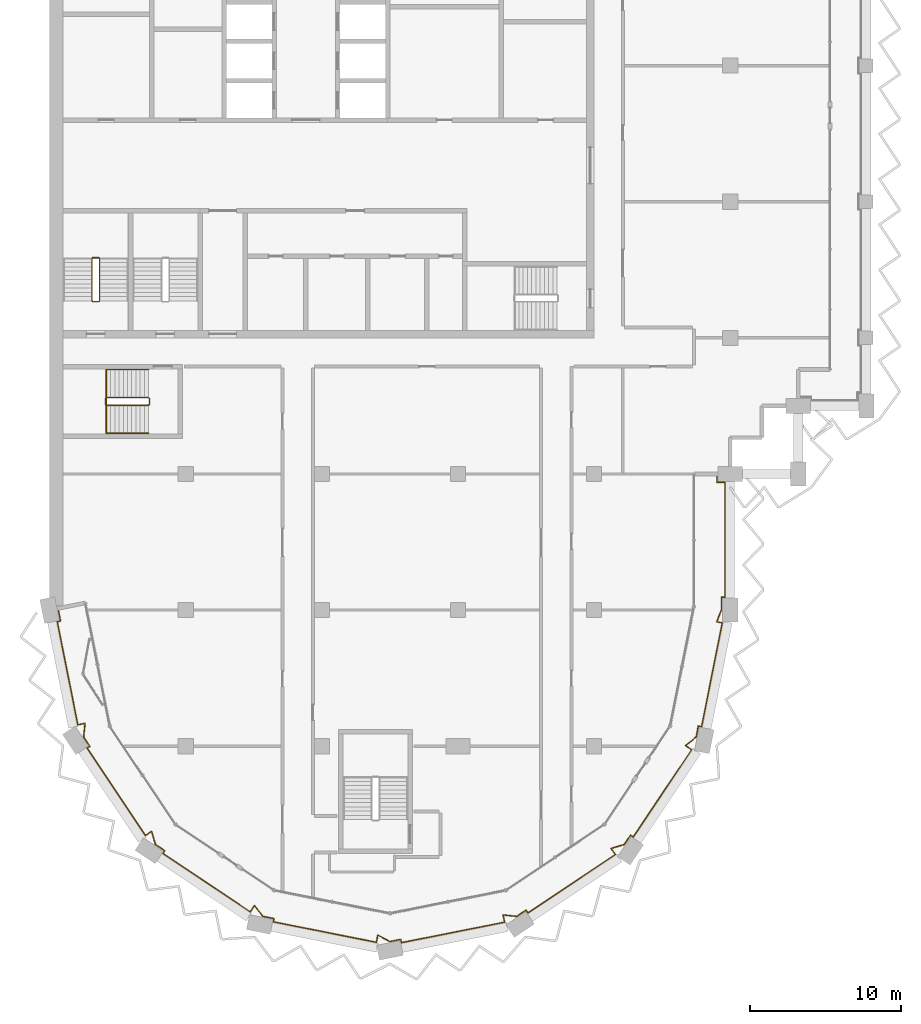
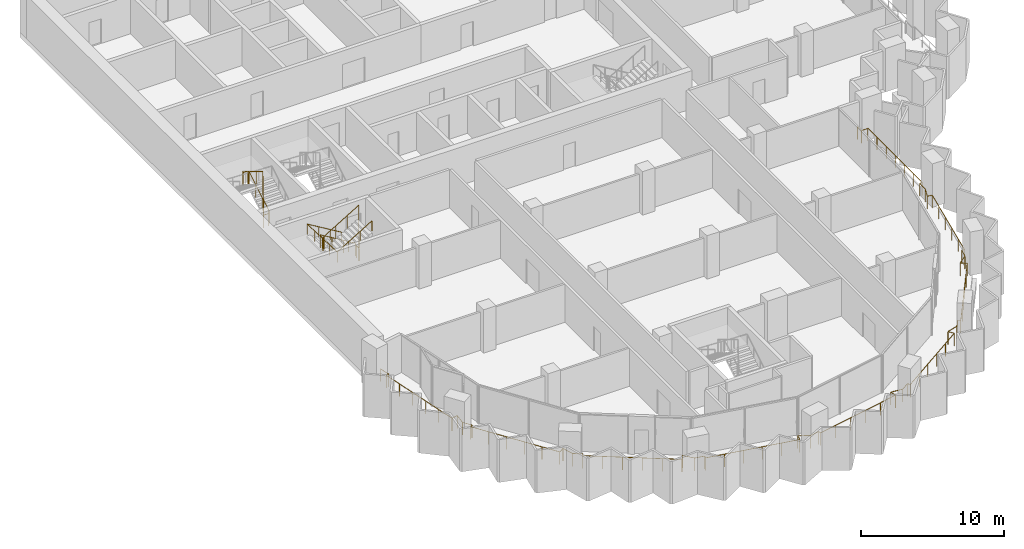
# One storey, part 15 of 17: 4 railings.
"""IFC4 building model written with IfcOpenShell, lengths in metres."""

from ifc_helpers import new_model, si_unit, direction, frame, origin, origin_2d, place, context, subcontext, project, spatial, circle, extrude, material, type_object, element, save


model = new_model("IFC4")

# Units and contexts
model_context = context("Model", 3, precision=1e-05, world=origin(), true_north=direction((0.0, 1.0)))
body_context = subcontext(model_context, "Body", "Model", "MODEL_VIEW")
ifc_project = project(units=[si_unit("LENGTHUNIT", "METRE"), si_unit("AREAUNIT", "SQUARE_METRE"), si_unit("VOLUMEUNIT", "CUBIC_METRE"), si_unit("PLANEANGLEUNIT", "RADIAN"), si_unit("MASSUNIT", "GRAM", prefix="KILO")], contexts=[model_context])

# Site, building, storey
site_placement = place(None, origin())
site = spatial("IfcSite", under=ifc_project, at=site_placement, CompositionType="ELEMENT")
building_placement = place(site_placement, origin())
building = spatial("IfcBuilding", under=site, at=building_placement, Name="Hunhe Ridgeline Campus", CompositionType="ELEMENT")
storey_placement = place(building_placement, frame((0.0, 0.0, 272.5)))
storey = spatial("IfcBuildingStorey", under=building, at=storey_placement, Name="L70", CompositionType="ELEMENT", Elevation=272.5)

# Railings
ifc_material_1 = material(Name="Steel Q355", Category="steel")
railing_type_1 = type_object("IfcRailingType", Name="Loggia guard 1100 Steel Q355", PredefinedType="GUARDRAIL", material=ifc_material_1)
railing_1_placement = place(storey_placement, frame((0.55908203125, 45.111083984375, 0.0)))
element("IfcRailing", 1, at=railing_1_placement, inside=storey, type_object=railing_type_1, Name="Loggia guard 1", PredefinedType="GUARDRAIL", context=body_context, shape_type="SweptSolid", body=[
    extrude(circle(Radius=0.02392578125, at=origin_2d()), frame((0.0, 0.0, 1.076171875), z_axis=(0.195066328581, -0.980790052689, 0.0), x_axis=(0.980790052689, 0.195066328581, 0.0)), (0.0, 0.0, 1.0), 0.849853515625),
    extrude(circle(Radius=0.02392578125, at=origin_2d()), frame((0.165771484375, -0.83349609375, 1.076171875), z_axis=(-0.980750988442, -0.195262640233, 0.0), x_axis=(0.195262640233, -0.980750988442, 0.0)), (0.0, 0.0, 1.0), 0.219970703125),
    extrude(circle(Radius=0.02392578125, at=origin_2d()), frame((-0.050048828125, -0.87646484375, 1.076171875), z_axis=(0.1951025318, -0.980782851647, 0.0), x_axis=(0.980782851647, 0.1951025318, 0.0)), (0.0, 0.0, 1.0), 6.94873046875),
    extrude(circle(Radius=0.02392578125, at=origin_2d()), frame((1.3056640625, -7.691650390625, 1.076171875), z_axis=(0.980791706313, 0.195058014004, 0.0), x_axis=(-0.195058014004, 0.980791706313, 0.0)), (0.0, 0.0, 1.0), 0.488037109375),
    extrude(circle(Radius=0.02392578125, at=origin_2d()), frame((1.784423828125, -7.596435546875, 1.076171875), z_axis=(-0.103312201106, -0.994648977832, 0.0), x_axis=(0.994648977832, -0.103312201106, 0.0)), (0.0, 0.0, 1.0), 0.907470703125),
    extrude(circle(Radius=0.02392578125, at=origin_2d()), frame((1.690673828125, -8.4990234375, 1.076171875), z_axis=(0.555464783965, -0.831540061437, 0.0), x_axis=(0.831540061437, 0.555464783965, 0.0)), (0.0, 0.0, 1.0), 0.736572265625),
    extrude(circle(Radius=0.02392578125, at=origin_2d()), frame((2.099853515625, -9.111572265625, 1.076171875), z_axis=(-0.831708467209, -0.555212594933, 0.0), x_axis=(0.555212594933, -0.831708467209, 0.0)), (0.0, 0.0, 1.0), 0.219970703125),
    extrude(circle(Radius=0.02392578125, at=origin_2d()), frame((1.9169921875, -9.233642578125, 1.076171875), z_axis=(0.555559363791, -0.831476874786, 0.0), x_axis=(0.831476874786, 0.555559363791, 0.0)), (0.0, 0.0, 1.0), 6.948486328125),
    extrude(circle(Radius=0.02392578125, at=origin_2d()), frame((5.77734375, -15.01123046875, 1.076171875), z_axis=(0.831588140797, 0.555392801615, 0.0), x_axis=(-0.555392801615, 0.831588140797, 0.0)), (0.0, 0.0, 1.0), 0.488037109375),
    extrude(circle(Radius=0.02392578125, at=origin_2d()), frame((6.18310546875, -14.740234375, 1.076171875), z_axis=(0.285150626135, -0.958482717849, 0.0), x_axis=(0.958482717849, 0.285150626135, 0.0)), (0.0, 0.0, 1.0), 0.907470703125),
    extrude(circle(Radius=0.02392578125, at=origin_2d()), frame((6.44189453125, -15.610107421875, 1.076171875), z_axis=(0.831540061437, -0.555464783965, 0.0), x_axis=(0.555464783965, 0.831540061437, 0.0)), (0.0, 0.0, 1.0), 0.736572265625),
    extrude(circle(Radius=0.02392578125, at=origin_2d()), frame((7.054443359375, -16.019287109375, 1.076171875), z_axis=(-0.555980009223, -0.831195662491, 0.0), x_axis=(0.831195662491, -0.555980009223, 0.0)), (0.0, 0.0, 1.0), 0.219970703125),
    extrude(circle(Radius=0.02392578125, at=origin_2d()), frame((6.93212890625, -16.2021484375, 1.076171875), z_axis=(0.831460644532, -0.555583654003, 0.0), x_axis=(0.555583654003, 0.831460644532, 0.0)), (0.0, 0.0, 1.0), 6.94873046875),
    extrude(circle(Radius=0.02392578125, at=origin_2d()), frame((12.709716796875, -20.062744140625, 1.076171875), z_axis=(0.555507638283, 0.831511433361, 0.0), x_axis=(-0.831511433361, 0.555507638283, 0.0)), (0.0, 0.0, 1.0), 0.48828125),
    extrude(circle(Radius=0.02392578125, at=origin_2d()), frame((12.98095703125, -19.65673828125, 1.076171875), z_axis=(0.630288754525, -0.776360796227, 0.0), x_axis=(0.776360796227, 0.630288754525, 0.0)), (0.0, 0.0, 1.0), 0.907470703125),
    extrude(circle(Radius=0.02392578125, at=origin_2d()), frame((13.552978515625, -20.361328125, 1.076171875), z_axis=(0.980758742397, -0.19522369019, 0.0), x_axis=(0.19522369019, 0.980758742397, 0.0)), (0.0, 0.0, 1.0), 0.736572265625),
    extrude(circle(Radius=0.02392578125, at=origin_2d()), frame((14.275390625, -20.505126953125, 1.076171875), z_axis=(-0.195262640233, -0.980750988442, 0.0), x_axis=(0.980750988442, -0.195262640233, 0.0)), (0.0, 0.0, 1.0), 0.219970703125),
    extrude(circle(Radius=0.02392578125, at=origin_2d()), frame((14.232421875, -20.720947265625, 1.076171875), z_axis=(0.980789574233, -0.195068734234, 0.0), x_axis=(0.195068734234, 0.980789574233, 0.0)), (0.0, 0.0, 1.0), 6.94873046875),
    extrude(circle(Radius=0.02392578125, at=origin_2d()), frame((21.047607421875, -22.076416015625, 1.076171875), z_axis=(0.195153744134, 0.980772662828, 0.0), x_axis=(-0.980772662828, 0.195153744134, 0.0)), (0.0, 0.0, 1.0), 0.48779296875),
    extrude(circle(Radius=0.02392578125, at=origin_2d()), frame((21.142822265625, -21.597900390625, 1.076171875), z_axis=(0.879371752487, -0.476135821934, 0.0), x_axis=(0.476135821934, 0.879371752487, 0.0)), (0.0, 0.0, 1.0), 0.907470703125),
    extrude(circle(Radius=0.02392578125, at=origin_2d()), frame((21.94091796875, -22.030029296875, 1.076171875), z_axis=(0.980758742397, 0.19522369019, 0.0), x_axis=(-0.19522369019, 0.980758742397, 0.0)), (0.0, 0.0, 1.0), 0.736572265625),
    extrude(circle(Radius=0.02392578125, at=origin_2d()), frame((22.663330078125, -21.88623046875, 1.076171875), z_axis=(0.195262640233, -0.980750988442, 0.0), x_axis=(0.980750988442, 0.195262640233, 0.0)), (0.0, 0.0, 1.0), 0.219970703125),
    extrude(circle(Radius=0.02392578125, at=origin_2d()), frame((22.706298828125, -22.10205078125, 1.076171875), z_axis=(0.980782851647, 0.1951025318, 0.0), x_axis=(-0.1951025318, 0.980782851647, 0.0)), (0.0, 0.0, 1.0), 6.94873046875),
    extrude(circle(Radius=0.02392578125, at=origin_2d()), frame((29.521484375, -20.746337890625, 1.076171875), z_axis=(-0.195058014004, 0.980791706313, 0.0), x_axis=(-0.980791706313, -0.195058014004, 0.0)), (0.0, 0.0, 1.0), 0.488037109375),
    extrude(circle(Radius=0.02392578125, at=origin_2d()), frame((29.42626953125, -20.267578125, 1.076171875), z_axis=(0.994648977832, -0.103312201106, 0.0), x_axis=(0.103312201106, 0.994648977832, 0.0)), (0.0, 0.0, 1.0), 0.907470703125),
    extrude(circle(Radius=0.02392578125, at=origin_2d()), frame((30.328857421875, -20.361328125, 1.076171875), z_axis=(0.831540061437, 0.555464783965, 0.0), x_axis=(-0.555464783965, 0.831540061437, 0.0)), (0.0, 0.0, 1.0), 0.736572265625),
    extrude(circle(Radius=0.02392578125, at=origin_2d()), frame((30.94140625, -19.9521484375, 1.076171875), z_axis=(0.555212594933, -0.831708467209, 0.0), x_axis=(0.831708467209, 0.555212594933, 0.0)), (0.0, 0.0, 1.0), 0.219970703125),
    extrude(circle(Radius=0.02392578125, at=origin_2d()), frame((31.0634765625, -20.135009765625, 1.076171875), z_axis=(0.831476874786, 0.555559363791, 0.0), x_axis=(-0.555559363791, 0.831476874786, 0.0)), (0.0, 0.0, 1.0), 6.948486328125),
    extrude(circle(Radius=0.02392578125, at=origin_2d()), frame((36.841064453125, -16.274658203125, 1.076171875), z_axis=(-0.555392801615, 0.831588140797, 0.0), x_axis=(-0.831588140797, -0.555392801615, 0.0)), (0.0, 0.0, 1.0), 0.488037109375),
    extrude(circle(Radius=0.02392578125, at=origin_2d()), frame((36.570068359375, -15.868896484375, 1.076171875), z_axis=(0.958482717849, 0.285150626135, 0.0), x_axis=(-0.285150626135, 0.958482717849, 0.0)), (0.0, 0.0, 1.0), 0.907470703125),
    extrude(circle(Radius=0.02392578125, at=origin_2d()), frame((37.43994140625, -15.610107421875, 1.076171875), z_axis=(0.555464783965, 0.831540061437, 0.0), x_axis=(-0.831540061437, 0.555464783965, 0.0)), (0.0, 0.0, 1.0), 0.736572265625),
    extrude(circle(Radius=0.02392578125, at=origin_2d()), frame((37.84912109375, -14.99755859375, 1.076171875), z_axis=(0.831195662491, -0.555980009223, 0.0), x_axis=(0.555980009223, 0.831195662491, 0.0)), (0.0, 0.0, 1.0), 0.219970703125),
    extrude(circle(Radius=0.02392578125, at=origin_2d()), frame((38.031982421875, -15.119873046875, 1.076171875), z_axis=(0.555583654003, 0.831460644532, 0.0), x_axis=(-0.831460644532, 0.555583654003, 0.0)), (0.0, 0.0, 1.0), 6.94873046875),
    extrude(circle(Radius=0.02392578125, at=origin_2d()), frame((41.892578125, -9.34228515625, 1.076171875), z_axis=(-0.831511433361, 0.555507638283, 0.0), x_axis=(-0.555507638283, -0.831511433361, 0.0)), (0.0, 0.0, 1.0), 0.48828125),
    extrude(circle(Radius=0.02392578125, at=origin_2d()), frame((41.486572265625, -9.071044921875, 1.076171875), z_axis=(0.776360796227, 0.630288754525, 0.0), x_axis=(-0.630288754525, 0.776360796227, 0.0)), (0.0, 0.0, 1.0), 0.907470703125),
    extrude(circle(Radius=0.02392578125, at=origin_2d()), frame((42.191162109375, -8.4990234375, 1.076171875), z_axis=(0.19522369019, 0.980758742397, 0.0), x_axis=(-0.980758742397, 0.19522369019, 0.0)), (0.0, 0.0, 1.0), 0.736572265625),
    extrude(circle(Radius=0.02392578125, at=origin_2d()), frame((42.3349609375, -7.776611328125, 1.076171875), z_axis=(0.980750988442, -0.195262640233, 0.0), x_axis=(0.195262640233, 0.980750988442, 0.0)), (0.0, 0.0, 1.0), 0.219970703125),
    extrude(circle(Radius=0.02392578125, at=origin_2d()), frame((42.55078125, -7.819580078125, 1.076171875), z_axis=(0.195082678264, 0.980786800809, 0.0), x_axis=(-0.980786800809, 0.195082678264, 0.0)), (0.0, 0.0, 1.0), 6.9970703125),
    extrude(circle(Radius=0.02392578125, at=origin_2d()), frame((43.915771484375, -0.95703125, 1.076171875), z_axis=(-0.980759647752, 0.195219141842, 0.0), x_axis=(-0.195219141842, -0.980759647752, 0.0)), (0.0, 0.0, 1.0), 0.366455078125),
    extrude(circle(Radius=0.02392578125, at=origin_2d()), frame((43.556396484375, -0.885498046875, 1.076171875), z_axis=(0.354074070723, 0.935217382453, 0.0), x_axis=(-0.935217382453, 0.354074070723, 0.0)), (0.0, 0.0, 1.0), 0.88818359375),
    extrude(circle(Radius=0.02392578125, at=origin_2d()), frame((43.870849609375, -0.054931640625, 1.076171875), z_axis=(0.0, 1.0, 0.0), x_axis=(-1.0, 0.0, 0.0)), (0.0, 0.0, 1.0), 0.7939453125),
    extrude(circle(Radius=0.02392578125, at=origin_2d()), frame((43.870849609375, 0.739013671875, 1.076171875), z_axis=(1.0, 0.0, 0.0), x_axis=(0.0, 1.0, 0.0)), (0.0, 0.0, 1.0), 0.219970703125),
    extrude(circle(Radius=0.02392578125, at=origin_2d()), frame((44.0908203125, 0.739013671875, 1.076171875), z_axis=(0.0, 1.0, 0.0), x_axis=(-1.0, 0.0, 0.0)), (0.0, 0.0, 1.0), 7.599853515625),
    extrude(circle(Radius=0.02392578125, at=origin_2d()), frame((44.0908203125, 8.3388671875, 1.076171875), z_axis=(-1.0, 0.0, 0.0), x_axis=(0.0, -1.0, 0.0)), (0.0, 0.0, 1.0), 0.52001953125),
    extrude(circle(Radius=0.02392578125, at=origin_2d()), frame((43.57080078125, 8.3388671875, 1.076171875), z_axis=(0.0, 1.0, 0.0), x_axis=(-1.0, 0.0, 0.0)), (0.0, 0.0, 1.0), 0.550048828125),
    extrude(circle(Radius=0.02099609375, at=origin_2d()), origin(), (0.0, 0.0, 1.0), 1.052001953125),
    extrude(circle(Radius=0.02099609375, at=origin_2d()), frame((0.165771484375, -0.83349609375, 0.0)), (0.0, 0.0, 1.0), 1.052001953125),
    extrude(circle(Radius=0.02099609375, at=origin_2d()), frame((-0.050048828125, -0.87646484375, 0.0)), (0.0, 0.0, 1.0), 1.052001953125),
    extrude(circle(Radius=0.02099609375, at=origin_2d()), frame((0.22119140625, -2.239501953125, 0.0)), (0.0, 0.0, 1.0), 1.052001953125),
    extrude(circle(Radius=0.02099609375, at=origin_2d()), frame((0.4921875, -3.6025390625, 0.0)), (0.0, 0.0, 1.0), 1.052001953125),
    extrude(circle(Radius=0.02099609375, at=origin_2d()), frame((0.763427734375, -4.965576171875, 0.0)), (0.0, 0.0, 1.0), 1.052001953125),
    extrude(circle(Radius=0.02099609375, at=origin_2d()), frame((1.034423828125, -6.32861328125, 0.0)), (0.0, 0.0, 1.0), 1.052001953125),
    extrude(circle(Radius=0.02099609375, at=origin_2d()), frame((1.3056640625, -7.691650390625, 0.0)), (0.0, 0.0, 1.0), 1.052001953125),
    extrude(circle(Radius=0.02099609375, at=origin_2d()), frame((1.784423828125, -7.596435546875, 0.0)), (0.0, 0.0, 1.0), 1.052001953125),
    extrude(circle(Radius=0.02099609375, at=origin_2d()), frame((1.690673828125, -8.4990234375, 0.0)), (0.0, 0.0, 1.0), 1.052001953125),
    extrude(circle(Radius=0.02099609375, at=origin_2d()), frame((2.099853515625, -9.111572265625, 0.0)), (0.0, 0.0, 1.0), 1.052001953125),
    extrude(circle(Radius=0.02099609375, at=origin_2d()), frame((1.9169921875, -9.233642578125, 0.0)), (0.0, 0.0, 1.0), 1.052001953125),
    extrude(circle(Radius=0.02099609375, at=origin_2d()), frame((2.68896484375, -10.38916015625, 0.0)), (0.0, 0.0, 1.0), 1.052001953125),
    extrude(circle(Radius=0.02099609375, at=origin_2d()), frame((3.461181640625, -11.544677734375, 0.0)), (0.0, 0.0, 1.0), 1.052001953125),
    extrude(circle(Radius=0.02099609375, at=origin_2d()), frame((4.233154296875, -12.7001953125, 0.0)), (0.0, 0.0, 1.0), 1.052001953125),
    extrude(circle(Radius=0.02099609375, at=origin_2d()), frame((5.00537109375, -13.855712890625, 0.0)), (0.0, 0.0, 1.0), 1.052001953125),
    extrude(circle(Radius=0.02099609375, at=origin_2d()), frame((5.77734375, -15.01123046875, 0.0)), (0.0, 0.0, 1.0), 1.052001953125),
    extrude(circle(Radius=0.02099609375, at=origin_2d()), frame((6.18310546875, -14.740234375, 0.0)), (0.0, 0.0, 1.0), 1.052001953125),
    extrude(circle(Radius=0.02099609375, at=origin_2d()), frame((6.44189453125, -15.610107421875, 0.0)), (0.0, 0.0, 1.0), 1.052001953125),
    extrude(circle(Radius=0.02099609375, at=origin_2d()), frame((7.054443359375, -16.019287109375, 0.0)), (0.0, 0.0, 1.0), 1.052001953125),
    extrude(circle(Radius=0.02099609375, at=origin_2d()), frame((6.93212890625, -16.2021484375, 0.0)), (0.0, 0.0, 1.0), 1.052001953125),
    extrude(circle(Radius=0.02099609375, at=origin_2d()), frame((8.087646484375, -16.974365234375, 0.0)), (0.0, 0.0, 1.0), 1.052001953125),
    extrude(circle(Radius=0.02099609375, at=origin_2d()), frame((9.2431640625, -17.746337890625, 0.0)), (0.0, 0.0, 1.0), 1.052001953125),
    extrude(circle(Radius=0.02099609375, at=origin_2d()), frame((10.398681640625, -18.5185546875, 0.0)), (0.0, 0.0, 1.0), 1.052001953125),
    extrude(circle(Radius=0.02099609375, at=origin_2d()), frame((11.55419921875, -19.29052734375, 0.0)), (0.0, 0.0, 1.0), 1.052001953125),
    extrude(circle(Radius=0.02099609375, at=origin_2d()), frame((12.709716796875, -20.062744140625, 0.0)), (0.0, 0.0, 1.0), 1.052001953125),
    extrude(circle(Radius=0.02099609375, at=origin_2d()), frame((12.98095703125, -19.65673828125, 0.0)), (0.0, 0.0, 1.0), 1.052001953125),
    extrude(circle(Radius=0.02099609375, at=origin_2d()), frame((13.552978515625, -20.361328125, 0.0)), (0.0, 0.0, 1.0), 1.052001953125),
    extrude(circle(Radius=0.02099609375, at=origin_2d()), frame((14.275390625, -20.505126953125, 0.0)), (0.0, 0.0, 1.0), 1.052001953125),
    extrude(circle(Radius=0.02099609375, at=origin_2d()), frame((14.232421875, -20.720947265625, 0.0)), (0.0, 0.0, 1.0), 1.052001953125),
    extrude(circle(Radius=0.02099609375, at=origin_2d()), frame((15.595458984375, -20.991943359375, 0.0)), (0.0, 0.0, 1.0), 1.052001953125),
    extrude(circle(Radius=0.02099609375, at=origin_2d()), frame((16.95849609375, -21.26318359375, 0.0)), (0.0, 0.0, 1.0), 1.052001953125),
    extrude(circle(Radius=0.02099609375, at=origin_2d()), frame((18.321533203125, -21.5341796875, 0.0)), (0.0, 0.0, 1.0), 1.052001953125),
    extrude(circle(Radius=0.02099609375, at=origin_2d()), frame((19.6845703125, -21.805419921875, 0.0)), (0.0, 0.0, 1.0), 1.052001953125),
    extrude(circle(Radius=0.02099609375, at=origin_2d()), frame((21.047607421875, -22.076416015625, 0.0)), (0.0, 0.0, 1.0), 1.052001953125),
    extrude(circle(Radius=0.02099609375, at=origin_2d()), frame((21.142822265625, -21.597900390625, 0.0)), (0.0, 0.0, 1.0), 1.052001953125),
    extrude(circle(Radius=0.02099609375, at=origin_2d()), frame((21.94091796875, -22.030029296875, 0.0)), (0.0, 0.0, 1.0), 1.052001953125),
    extrude(circle(Radius=0.02099609375, at=origin_2d()), frame((22.663330078125, -21.88623046875, 0.0)), (0.0, 0.0, 1.0), 1.052001953125),
    extrude(circle(Radius=0.02099609375, at=origin_2d()), frame((22.706298828125, -22.10205078125, 0.0)), (0.0, 0.0, 1.0), 1.052001953125),
    extrude(circle(Radius=0.02099609375, at=origin_2d()), frame((24.0693359375, -21.830810546875, 0.0)), (0.0, 0.0, 1.0), 1.052001953125),
    extrude(circle(Radius=0.02099609375, at=origin_2d()), frame((25.432373046875, -21.559814453125, 0.0)), (0.0, 0.0, 1.0), 1.052001953125),
    extrude(circle(Radius=0.02099609375, at=origin_2d()), frame((26.79541015625, -21.28857421875, 0.0)), (0.0, 0.0, 1.0), 1.052001953125),
    extrude(circle(Radius=0.02099609375, at=origin_2d()), frame((28.158447265625, -21.017578125, 0.0)), (0.0, 0.0, 1.0), 1.052001953125),
    extrude(circle(Radius=0.02099609375, at=origin_2d()), frame((29.521484375, -20.746337890625, 0.0)), (0.0, 0.0, 1.0), 1.052001953125),
    extrude(circle(Radius=0.02099609375, at=origin_2d()), frame((29.42626953125, -20.267578125, 0.0)), (0.0, 0.0, 1.0), 1.052001953125),
    extrude(circle(Radius=0.02099609375, at=origin_2d()), frame((30.328857421875, -20.361328125, 0.0)), (0.0, 0.0, 1.0), 1.052001953125),
    extrude(circle(Radius=0.02099609375, at=origin_2d()), frame((30.94140625, -19.9521484375, 0.0)), (0.0, 0.0, 1.0), 1.052001953125),
    extrude(circle(Radius=0.02099609375, at=origin_2d()), frame((31.0634765625, -20.135009765625, 0.0)), (0.0, 0.0, 1.0), 1.052001953125),
    extrude(circle(Radius=0.02099609375, at=origin_2d()), frame((32.218994140625, -19.363037109375, 0.0)), (0.0, 0.0, 1.0), 1.052001953125),
    extrude(circle(Radius=0.02099609375, at=origin_2d()), frame((33.37451171875, -18.5908203125, 0.0)), (0.0, 0.0, 1.0), 1.052001953125),
    extrude(circle(Radius=0.02099609375, at=origin_2d()), frame((34.530029296875, -17.81884765625, 0.0)), (0.0, 0.0, 1.0), 1.052001953125),
    extrude(circle(Radius=0.02099609375, at=origin_2d()), frame((35.685546875, -17.046630859375, 0.0)), (0.0, 0.0, 1.0), 1.052001953125),
    extrude(circle(Radius=0.02099609375, at=origin_2d()), frame((36.841064453125, -16.274658203125, 0.0)), (0.0, 0.0, 1.0), 1.052001953125),
    extrude(circle(Radius=0.02099609375, at=origin_2d()), frame((36.570068359375, -15.868896484375, 0.0)), (0.0, 0.0, 1.0), 1.052001953125),
    extrude(circle(Radius=0.02099609375, at=origin_2d()), frame((37.43994140625, -15.610107421875, 0.0)), (0.0, 0.0, 1.0), 1.052001953125),
    extrude(circle(Radius=0.02099609375, at=origin_2d()), frame((37.84912109375, -14.99755859375, 0.0)), (0.0, 0.0, 1.0), 1.052001953125),
    extrude(circle(Radius=0.02099609375, at=origin_2d()), frame((38.031982421875, -15.119873046875, 0.0)), (0.0, 0.0, 1.0), 1.052001953125),
    extrude(circle(Radius=0.02099609375, at=origin_2d()), frame((38.80419921875, -13.96435546875, 0.0)), (0.0, 0.0, 1.0), 1.052001953125),
    extrude(circle(Radius=0.02099609375, at=origin_2d()), frame((39.576171875, -12.808837890625, 0.0)), (0.0, 0.0, 1.0), 1.052001953125),
    extrude(circle(Radius=0.02099609375, at=origin_2d()), frame((40.348388671875, -11.6533203125, 0.0)), (0.0, 0.0, 1.0), 1.052001953125),
    extrude(circle(Radius=0.02099609375, at=origin_2d()), frame((41.120361328125, -10.497802734375, 0.0)), (0.0, 0.0, 1.0), 1.052001953125),
    extrude(circle(Radius=0.02099609375, at=origin_2d()), frame((41.892578125, -9.34228515625, 0.0)), (0.0, 0.0, 1.0), 1.052001953125),
    extrude(circle(Radius=0.02099609375, at=origin_2d()), frame((41.486572265625, -9.071044921875, 0.0)), (0.0, 0.0, 1.0), 1.052001953125),
    extrude(circle(Radius=0.02099609375, at=origin_2d()), frame((42.191162109375, -8.4990234375, 0.0)), (0.0, 0.0, 1.0), 1.052001953125),
    extrude(circle(Radius=0.02099609375, at=origin_2d()), frame((42.3349609375, -7.776611328125, 0.0)), (0.0, 0.0, 1.0), 1.052001953125),
    extrude(circle(Radius=0.02099609375, at=origin_2d()), frame((42.55078125, -7.819580078125, 0.0)), (0.0, 0.0, 1.0), 1.052001953125),
    extrude(circle(Radius=0.02099609375, at=origin_2d()), frame((42.82373046875, -6.447021484375, 0.0)), (0.0, 0.0, 1.0), 1.052001953125),
    extrude(circle(Radius=0.02099609375, at=origin_2d()), frame((43.0966796875, -5.074462890625, 0.0)), (0.0, 0.0, 1.0), 1.052001953125),
    extrude(circle(Radius=0.02099609375, at=origin_2d()), frame((43.369873046875, -3.7021484375, 0.0)), (0.0, 0.0, 1.0), 1.052001953125),
    extrude(circle(Radius=0.02099609375, at=origin_2d()), frame((43.642822265625, -2.32958984375, 0.0)), (0.0, 0.0, 1.0), 1.052001953125),
    extrude(circle(Radius=0.02099609375, at=origin_2d()), frame((43.915771484375, -0.95703125, 0.0)), (0.0, 0.0, 1.0), 1.052001953125),
    extrude(circle(Radius=0.02099609375, at=origin_2d()), frame((43.556396484375, -0.885498046875, 0.0)), (0.0, 0.0, 1.0), 1.052001953125),
    extrude(circle(Radius=0.02099609375, at=origin_2d()), frame((43.870849609375, -0.054931640625, 0.0)), (0.0, 0.0, 1.0), 1.052001953125),
    extrude(circle(Radius=0.02099609375, at=origin_2d()), frame((43.870849609375, 0.739013671875, 0.0)), (0.0, 0.0, 1.0), 1.052001953125),
    extrude(circle(Radius=0.02099609375, at=origin_2d()), frame((44.0908203125, 0.739013671875, 0.0)), (0.0, 0.0, 1.0), 1.052001953125),
    extrude(circle(Radius=0.02099609375, at=origin_2d()), frame((44.0908203125, 2.005615234375, 0.0)), (0.0, 0.0, 1.0), 1.052001953125),
    extrude(circle(Radius=0.02099609375, at=origin_2d()), frame((44.0908203125, 3.272216796875, 0.0)), (0.0, 0.0, 1.0), 1.052001953125),
    extrude(circle(Radius=0.02099609375, at=origin_2d()), frame((44.0908203125, 4.5390625, 0.0)), (0.0, 0.0, 1.0), 1.052001953125),
    extrude(circle(Radius=0.02099609375, at=origin_2d()), frame((44.0908203125, 5.8056640625, 0.0)), (0.0, 0.0, 1.0), 1.052001953125),
    extrude(circle(Radius=0.02099609375, at=origin_2d()), frame((44.0908203125, 7.072265625, 0.0)), (0.0, 0.0, 1.0), 1.052001953125),
    extrude(circle(Radius=0.02099609375, at=origin_2d()), frame((44.0908203125, 8.3388671875, 0.0)), (0.0, 0.0, 1.0), 1.052001953125),
    extrude(circle(Radius=0.02099609375, at=origin_2d()), frame((43.57080078125, 8.3388671875, 0.0)), (0.0, 0.0, 1.0), 1.052001953125),
    extrude(circle(Radius=0.02099609375, at=origin_2d()), frame((43.57080078125, 8.888916015625, 0.0)), (0.0, 0.0, 1.0), 1.052001953125),
])
ifc_material_2 = material(Name="Stainless steel balustrade", Category="steel")
railing_type_2 = type_object("IfcRailingType", Name="Stair guard 1100 stainless", PredefinedType="GUARDRAIL", material=ifc_material_2)
railing_2_placement = place(storey_placement, frame((3.300048828125, 65.449951171875, 0.168212890625)))
element("IfcRailing", 2, at=railing_2_placement, inside=storey, type_object=railing_type_2, Name="L70 stair S3 guard", PredefinedType="GUARDRAIL", context=body_context, shape_type="SweptSolid", body=[
    extrude(circle(Radius=0.02392578125, at=origin_2d()), frame((0.0, 0.0, 1.076171875), z_axis=(0.0, 0.857242210791, 0.514913383045), x_axis=(-1.0, 0.0, 0.0)), (0.0, 0.0, 1.0), 3.266357421875),
    extrude(circle(Radius=0.02392578125, at=origin_2d()), frame((0.0, 2.800048828125, 2.7578125), z_axis=(-0.707106781187, 0.707106781187, 0.0), x_axis=(-0.707106781187, -0.707106781187, 0.0)), (0.0, 0.0, 1.0), 0.07080078125),
    extrude(circle(Radius=0.02392578125, at=origin_2d()), frame((-0.050048828125, 2.85009765625, 2.7578125), z_axis=(-1.0, 0.0, 0.0), x_axis=(0.0, -1.0, 0.0)), (0.0, 0.0, 1.0), 0.39990234375),
    extrude(circle(Radius=0.02392578125, at=origin_2d()), frame((-0.449951171875, 2.85009765625, 2.7578125), z_axis=(-0.274582412415, -0.274582412415, 0.921525364591), x_axis=(0.707106781187, -0.707106781187, 0.0)), (0.0, 0.0, 1.0), 0.182373046875),
    extrude(circle(Radius=0.02392578125, at=origin_2d()), frame((-0.5, 2.800048828125, 2.92578125), z_axis=(0.0, -0.857242210791, 0.514913383045), x_axis=(1.0, 0.0, 0.0)), (0.0, 0.0, 1.0), 3.266357421875),
    extrude(circle(Radius=0.02392578125, at=origin_2d()), frame((-0.5, 0.0, 4.60791015625), z_axis=(0.013524414389, -0.013524414389, -0.999817073484), x_axis=(0.707106781187, 0.707106781187, 0.0)), (0.0, 0.0, 1.0), 3.70068359375),
    extrude(circle(Radius=0.02392578125, at=origin_2d()), frame((-0.449951171875, -0.050048828125, 0.90771484375), z_axis=(1.0, 0.0, 0.0), x_axis=(0.0, 1.0, 0.0)), (0.0, 0.0, 1.0), 0.39990234375),
    extrude(circle(Radius=0.02099609375, at=origin_2d()), origin(), (0.0, 0.0, 1.0), 1.052001953125),
    extrude(circle(Radius=0.02099609375, at=origin_2d()), frame((0.0, 0.933349609375, 0.560546875)), (0.0, 0.0, 1.0), 1.052001953125),
    extrude(circle(Radius=0.02099609375, at=origin_2d()), frame((0.0, 1.86669921875, 1.121337890625)), (0.0, 0.0, 1.0), 1.052001953125),
    extrude(circle(Radius=0.02099609375, at=origin_2d()), frame((0.0, 2.800048828125, 1.681884765625)), (0.0, 0.0, 1.0), 1.052001953125),
    extrude(circle(Radius=0.02099609375, at=origin_2d()), frame((-0.050048828125, 2.85009765625, 1.681884765625)), (0.0, 0.0, 1.0), 1.052001953125),
    extrude(circle(Radius=0.02099609375, at=origin_2d()), frame((-0.449951171875, 2.85009765625, 1.681884765625)), (0.0, 0.0, 1.0), 1.052001953125),
    extrude(circle(Radius=0.02099609375, at=origin_2d()), frame((-0.5, 2.800048828125, 1.849853515625)), (0.0, 0.0, 1.0), 1.052001953125),
    extrude(circle(Radius=0.02099609375, at=origin_2d()), frame((-0.5, 1.86669921875, 2.410400390625)), (0.0, 0.0, 1.0), 1.052001953125),
    extrude(circle(Radius=0.02099609375, at=origin_2d()), frame((-0.5, 0.933349609375, 2.97119140625)), (0.0, 0.0, 1.0), 1.052001953125),
    extrude(circle(Radius=0.02099609375, at=origin_2d()), frame((-0.5, 0.0, 3.53173828125)), (0.0, 0.0, 1.0), 1.052001953125),
    extrude(circle(Radius=0.02099609375, at=origin_2d()), frame((-0.487548828125, -0.012451171875, 2.606689453125)), (0.0, 0.0, 1.0), 1.052001953125),
    extrude(circle(Radius=0.02099609375, at=origin_2d()), frame((-0.47509765625, -0.02490234375, 1.681640625)), (0.0, 0.0, 1.0), 1.052001953125),
    extrude(circle(Radius=0.02099609375, at=origin_2d()), frame((-0.46240234375, -0.03759765625, 0.7568359375)), (0.0, 0.0, 1.0), 1.052001953125),
    extrude(circle(Radius=0.02099609375, at=origin_2d()), frame((-0.449951171875, -0.050048828125, -0.168212890625)), (0.0, 0.0, 1.0), 1.052001953125),
    extrude(circle(Radius=0.02099609375, at=origin_2d()), frame((-0.050048828125, -0.050048828125, -0.168212890625)), (0.0, 0.0, 1.0), 1.052001953125),
])
railing_3_placement = place(storey_placement, frame((6.550048828125, 59.050048828125, 0.168212890625)))
element("IfcRailing", 3, at=railing_3_placement, inside=storey, type_object=railing_type_2, Name="L70 stair W2 guard", PredefinedType="GUARDRAIL", context=body_context, shape_type="SweptSolid", body=[
    extrude(circle(Radius=0.02392578125, at=origin_2d()), frame((0.0, 0.0, 1.076171875), z_axis=(-0.857242210791, 0.0, 0.514913383045), x_axis=(0.0, -1.0, 0.0)), (0.0, 0.0, 1.0), 3.266357421875),
    extrude(circle(Radius=0.02392578125, at=origin_2d()), frame((-2.800048828125, 0.0, 2.7578125), z_axis=(-0.707106781187, -0.707106781187, 0.0), x_axis=(0.707106781187, -0.707106781187, 0.0)), (0.0, 0.0, 1.0), 0.07080078125),
    extrude(circle(Radius=0.02392578125, at=origin_2d()), frame((-2.85009765625, -0.050048828125, 2.7578125), z_axis=(0.0, -1.0, 0.0), x_axis=(1.0, 0.0, 0.0)), (0.0, 0.0, 1.0), 0.39990234375),
    extrude(circle(Radius=0.02392578125, at=origin_2d()), frame((-2.85009765625, -0.449951171875, 2.7578125), z_axis=(0.274582412415, -0.274582412415, 0.921525364591), x_axis=(0.707106781187, 0.707106781187, 0.0)), (0.0, 0.0, 1.0), 0.182373046875),
    extrude(circle(Radius=0.02392578125, at=origin_2d()), frame((-2.800048828125, -0.5, 2.92578125), z_axis=(0.857242210791, 0.0, 0.514913383045), x_axis=(0.0, 1.0, 0.0)), (0.0, 0.0, 1.0), 3.266357421875),
    extrude(circle(Radius=0.02392578125, at=origin_2d()), frame((0.0, -0.5, 4.60791015625), z_axis=(0.013524414389, 0.013524414389, -0.999817073484), x_axis=(-0.707106781187, 0.707106781187, 0.0)), (0.0, 0.0, 1.0), 3.70068359375),
    extrude(circle(Radius=0.02392578125, at=origin_2d()), frame((0.050048828125, -0.449951171875, 0.90771484375), z_axis=(0.0, 1.0, 0.0), x_axis=(-1.0, 0.0, 0.0)), (0.0, 0.0, 1.0), 0.39990234375),
    extrude(circle(Radius=0.02099609375, at=origin_2d()), origin(), (0.0, 0.0, 1.0), 1.052001953125),
    extrude(circle(Radius=0.02099609375, at=origin_2d()), frame((-0.933349609375, 0.0, 0.560546875)), (0.0, 0.0, 1.0), 1.052001953125),
    extrude(circle(Radius=0.02099609375, at=origin_2d()), frame((-1.86669921875, 0.0, 1.121337890625)), (0.0, 0.0, 1.0), 1.052001953125),
    extrude(circle(Radius=0.02099609375, at=origin_2d()), frame((-2.800048828125, 0.0, 1.681884765625)), (0.0, 0.0, 1.0), 1.052001953125),
    extrude(circle(Radius=0.02099609375, at=origin_2d()), frame((-2.85009765625, -0.050048828125, 1.681884765625)), (0.0, 0.0, 1.0), 1.052001953125),
    extrude(circle(Radius=0.02099609375, at=origin_2d()), frame((-2.85009765625, -0.449951171875, 1.681884765625)), (0.0, 0.0, 1.0), 1.052001953125),
    extrude(circle(Radius=0.02099609375, at=origin_2d()), frame((-2.800048828125, -0.5, 1.849853515625)), (0.0, 0.0, 1.0), 1.052001953125),
    extrude(circle(Radius=0.02099609375, at=origin_2d()), frame((-1.86669921875, -0.5, 2.410400390625)), (0.0, 0.0, 1.0), 1.052001953125),
    extrude(circle(Radius=0.02099609375, at=origin_2d()), frame((-0.933349609375, -0.5, 2.97119140625)), (0.0, 0.0, 1.0), 1.052001953125),
    extrude(circle(Radius=0.02099609375, at=origin_2d()), frame((0.0, -0.5, 3.53173828125)), (0.0, 0.0, 1.0), 1.052001953125),
    extrude(circle(Radius=0.02099609375, at=origin_2d()), frame((0.012451171875, -0.487548828125, 2.606689453125)), (0.0, 0.0, 1.0), 1.052001953125),
    extrude(circle(Radius=0.02099609375, at=origin_2d()), frame((0.02490234375, -0.47509765625, 1.681640625)), (0.0, 0.0, 1.0), 1.052001953125),
    extrude(circle(Radius=0.02099609375, at=origin_2d()), frame((0.03759765625, -0.46240234375, 0.7568359375)), (0.0, 0.0, 1.0), 1.052001953125),
    extrude(circle(Radius=0.02099609375, at=origin_2d()), frame((0.050048828125, -0.449951171875, -0.168212890625)), (0.0, 0.0, 1.0), 1.052001953125),
    extrude(circle(Radius=0.02099609375, at=origin_2d()), frame((0.050048828125, -0.050048828125, -0.168212890625)), (0.0, 0.0, 1.0), 1.052001953125),
])
ifc_material_3 = material(Name="Stainless steel handrail", Category="steel")
railing_type_3 = type_object("IfcRailingType", Name="Stair handrail 900 stainless", PredefinedType="HANDRAIL", material=ifc_material_3)
railing_4_placement = place(storey_placement, frame((6.550048828125, 60.89990234375, 0.168212890625)))
element("IfcRailing", 4, at=railing_4_placement, inside=storey, type_object=railing_type_3, Name="L70 stair W2 handrail", PredefinedType="HANDRAIL", context=body_context, shape_type="SweptSolid", body=[
    extrude(circle(Radius=0.02392578125, at=origin_2d()), frame((0.0, 0.0, 0.8759765625), z_axis=(-0.857242210791, 0.0, 0.514913383045), x_axis=(0.0, -1.0, 0.0)), (0.0, 0.0, 1.0), 3.266357421875),
    extrude(circle(Radius=0.02392578125, at=origin_2d()), frame((-2.800048828125, 0.0, 2.5576171875), z_axis=(0.0, -0.99920123705, 0.039961079526), x_axis=(1.0, 0.0, 0.0)), (0.0, 0.0, 1.0), 4.203369140625),
    extrude(circle(Radius=0.02392578125, at=origin_2d()), frame((-2.800048828125, -4.199951171875, 2.7255859375), z_axis=(0.857242210791, 0.0, 0.514913383045), x_axis=(0.0, 1.0, 0.0)), (0.0, 0.0, 1.0), 3.266357421875),
    extrude(circle(Radius=0.02099609375, at=origin_2d()), origin(), (0.0, 0.0, 1.0), 0.851806640625),
    extrude(circle(Radius=0.02099609375, at=origin_2d()), frame((-0.933349609375, 0.0, 0.560546875)), (0.0, 0.0, 1.0), 0.851806640625),
    extrude(circle(Radius=0.02099609375, at=origin_2d()), frame((-1.86669921875, 0.0, 1.121337890625)), (0.0, 0.0, 1.0), 0.851806640625),
    extrude(circle(Radius=0.02099609375, at=origin_2d()), frame((-2.800048828125, 0.0, 1.681884765625)), (0.0, 0.0, 1.0), 0.851806640625),
    extrude(circle(Radius=0.02099609375, at=origin_2d()), frame((-2.800048828125, -1.050048828125, 1.723876953125)), (0.0, 0.0, 1.0), 0.851806640625),
    extrude(circle(Radius=0.02099609375, at=origin_2d()), frame((-2.800048828125, -2.10009765625, 1.765869140625)), (0.0, 0.0, 1.0), 0.851806640625),
    extrude(circle(Radius=0.02099609375, at=origin_2d()), frame((-2.800048828125, -3.14990234375, 1.807861328125)), (0.0, 0.0, 1.0), 0.851806640625),
    extrude(circle(Radius=0.02099609375, at=origin_2d()), frame((-2.800048828125, -4.199951171875, 1.849853515625)), (0.0, 0.0, 1.0), 0.851806640625),
    extrude(circle(Radius=0.02099609375, at=origin_2d()), frame((-1.86669921875, -4.199951171875, 2.410400390625)), (0.0, 0.0, 1.0), 0.851806640625),
    extrude(circle(Radius=0.02099609375, at=origin_2d()), frame((-0.933349609375, -4.199951171875, 2.97119140625)), (0.0, 0.0, 1.0), 0.851806640625),
    extrude(circle(Radius=0.02099609375, at=origin_2d()), frame((0.0, -4.199951171875, 3.53173828125)), (0.0, 0.0, 1.0), 0.851806640625),
])

save(model, "model.ifc")
